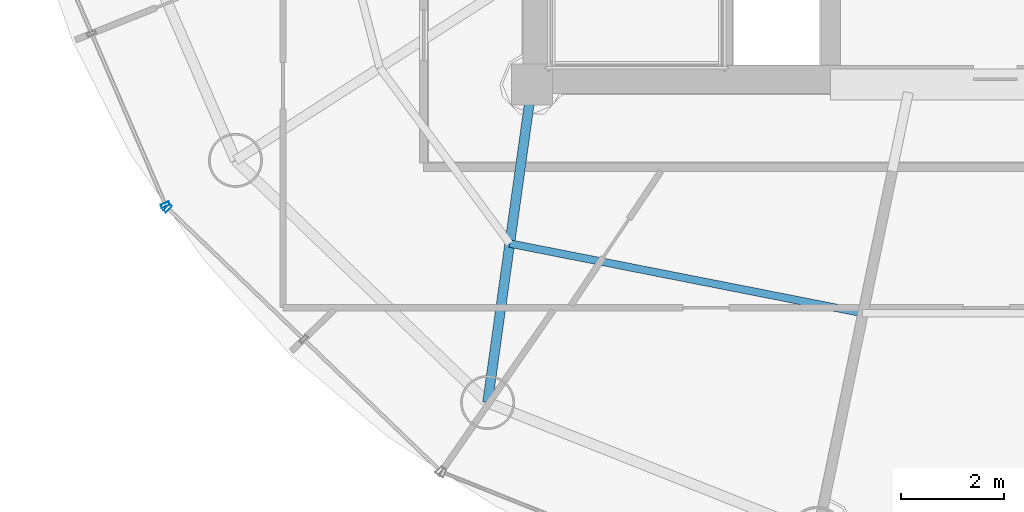
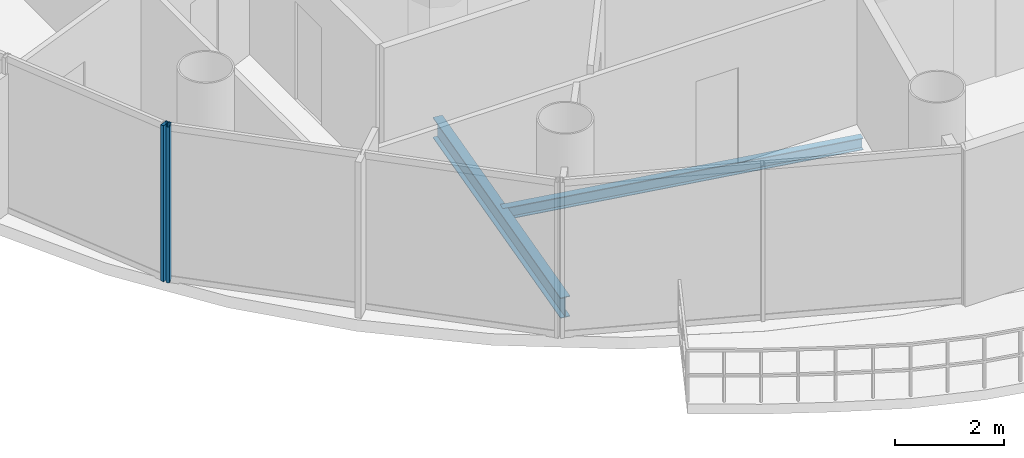
# One storey, part 3 of 23: 2 beams, 2 members, 2 elements without a shape of their own.
"""IFC4 building model written with IfcOpenShell, lengths in metres."""

from ifc_helpers import new_model, si_unit, direction, frame, origin, origin_2d, place, context, subcontext, project, spatial, hollow_rectangle, i_section, extrude, source, transform, mapped, material, material_profile, profile_set, type_object, element, aggregate, save


model = new_model("IFC4")

# Units and contexts
model_context = context("Model", 3, precision=1e-05, world=origin(), true_north=direction((-0.2419218956, 0.970295726276)))
body_context = subcontext(model_context, "Body", "Model", "MODEL_VIEW")
ifc_project = project(units=[si_unit("LENGTHUNIT", "METRE"), si_unit("AREAUNIT", "SQUARE_METRE"), si_unit("VOLUMEUNIT", "CUBIC_METRE"), si_unit("PLANEANGLEUNIT", "RADIAN"), si_unit("MASSUNIT", "GRAM", prefix="KILO")], contexts=[model_context])

# Site, building, storey
site_placement = place(None, origin())
site = spatial("IfcSite", under=ifc_project, at=site_placement, CompositionType="ELEMENT")
building_placement = place(site_placement, origin())
building = spatial("IfcBuilding", under=site, at=building_placement, Name="Cobrevalo Terracotta Tower", CompositionType="ELEMENT")
storey_placement = place(building_placement, frame((0.0, 0.0, 266.949951171875)))
storey = spatial("IfcBuildingStorey", under=building, at=storey_placement, Name="L70", CompositionType="ELEMENT", Elevation=266.949951171875)

# Beams
ifc_material_1 = material(Name="Steel S355", Category="steel")
ifc_material_profile_1 = material_profile(ifc_material_1, i_section(OverallWidth=0.19091796875, OverallDepth=0.4599609375, WebThickness=0.010009765625, FlangeThickness=0.01611328125, at=origin_2d()), Name="W 460x82")
ifc_profile_set_1 = profile_set([ifc_material_profile_1], Name="Steel S355")
beam_type_1 = type_object("IfcBeamType", Name="Structural Beam W 460x82 (Steel S355)", PredefinedType="BEAM", material=ifc_profile_set_1)
beam_1_placement = place(storey_placement, frame((28.138671875, 12.62353515625, -0.489990234375), z_axis=(0.138115657759, 0.990416107039, 0.0), x_axis=(-0.990416107039, 0.138115657759, 0.0)))
element("IfcBeam", 1, at=beam_1_placement, inside=storey, type_object=beam_type_1, Name="L70 radial floor girder 11", PredefinedType="BEAM", context=body_context, shape_type="SweptSolid", body=[
    extrude(i_section(OverallWidth=0.19091796875, OverallDepth=0.4599609375, WebThickness=0.010009765625, FlangeThickness=0.01611328125, at=origin_2d()), origin(), (0.0, 0.0, 1.0), 6.236328125),
])
ifc_material_profile_2 = material_profile(ifc_material_1, i_section(OverallWidth=0.14794921875, OverallDepth=0.26611328125, WebThickness=0.007568359375, FlangeThickness=0.012939453125, at=origin_2d()), Name="W 250x44.8")
ifc_profile_set_2 = profile_set([ifc_material_profile_2], Name="Steel S355")
beam_type_2 = type_object("IfcBeamType", Name="Structural Joist W 250x44.8 (Steel S355)", PredefinedType="JOIST", material=ifc_profile_set_2)
beam_2_placement = place(storey_placement, frame((28.5693359375, 15.711669921875, -0.39306640625), z_axis=(0.981145060421, -0.193272787563, 0.0), x_axis=(0.193272787563, 0.981145060421, 0.0)))
element("IfcBeam", 2, at=beam_2_placement, inside=storey, type_object=beam_type_2, Name="L70 circumferential secondary floor joist 11", PredefinedType="JOIST", context=body_context, shape_type="SweptSolid", body=[
    extrude(i_section(OverallWidth=0.14794921875, OverallDepth=0.26611328125, WebThickness=0.007568359375, FlangeThickness=0.012939453125, at=origin_2d()), origin(), (0.0, 0.0, 1.0), 6.98681640625),
])

# Curtain wall, member
ifc_material_2 = material(Name="Anodized aluminium", Category="aluminium")
curtain_wall_type = type_object("IfcCurtainWallType", Name="Upper-tower triple-glazed penthouse curtain wall CW-U3", PredefinedType="NOTDEFINED", material=ifc_material_2)
curtain_wall_1_placement = place(storey_placement, origin())
curtain_wall_1 = element("IfcCurtainWall", 3, at=curtain_wall_1_placement, inside=storey, type_object=curtain_wall_type, Name="L70 curtain wall CW-L70-S09", PredefinedType="NOTDEFINED")
ifc_material_profile_3 = material_profile(ifc_material_2, hollow_rectangle(XDim=0.070068359375, YDim=0.169921875, WallThickness=0.00439453125, at=origin_2d()), Name="CWM 70x170")
ifc_profile_set_3 = profile_set([ifc_material_profile_3], Name="Anodized aluminium")
member_type = type_object("IfcMemberType", Name="Upper tower unitised mullion 70x170", PredefinedType="MULLION", material=ifc_profile_set_3)
shared_shape = source(origin(), body_context, "Body", "SweptSolid", [
    extrude(hollow_rectangle(XDim=0.070068359375, YDim=0.169921875, WallThickness=0.00439453125, at=origin_2d()), origin(), (0.0, 0.0, 1.0), 3.489990234375),
])
member_1_placement = place(storey_placement, frame((21.878662109375, 16.46435546875, 0.0), z_axis=(0.0, 0.0, 1.0), x_axis=(0.39482403454, -0.91875675875, 0.0)))
member_1 = element("IfcMember", 4, at=member_1_placement, type_object=member_type, Name="CW-L70-S09 vertical mullion 03", PredefinedType="MULLION", context=body_context, shape_type="MappedRepresentation", body=[
    mapped(shared_shape, transform((0.0, 0.0, 0.0), scale=1.0)),
])
aggregate(curtain_wall_1, [member_1])

curtain_wall_2_placement = place(storey_placement, origin())
curtain_wall_2 = element("IfcCurtainWall", 5, at=curtain_wall_2_placement, inside=storey, type_object=curtain_wall_type, Name="L70 curtain wall CW-L70-S10", PredefinedType="NOTDEFINED")
member_2_placement = place(storey_placement, frame((21.92333984375, 16.399658203125, 0.0), z_axis=(0.0, 0.0, 1.0), x_axis=(0.71999418085, -0.69398010025, 0.0)))
member_2 = element("IfcMember", 6, at=member_2_placement, type_object=member_type, Name="CW-L70-S10 vertical mullion 01", PredefinedType="MULLION", context=body_context, shape_type="MappedRepresentation", body=[
    mapped(shared_shape, transform((0.0, 0.0, 0.0), scale=1.0)),
])
aggregate(curtain_wall_2, [member_2])

save(model, "model.ifc")
